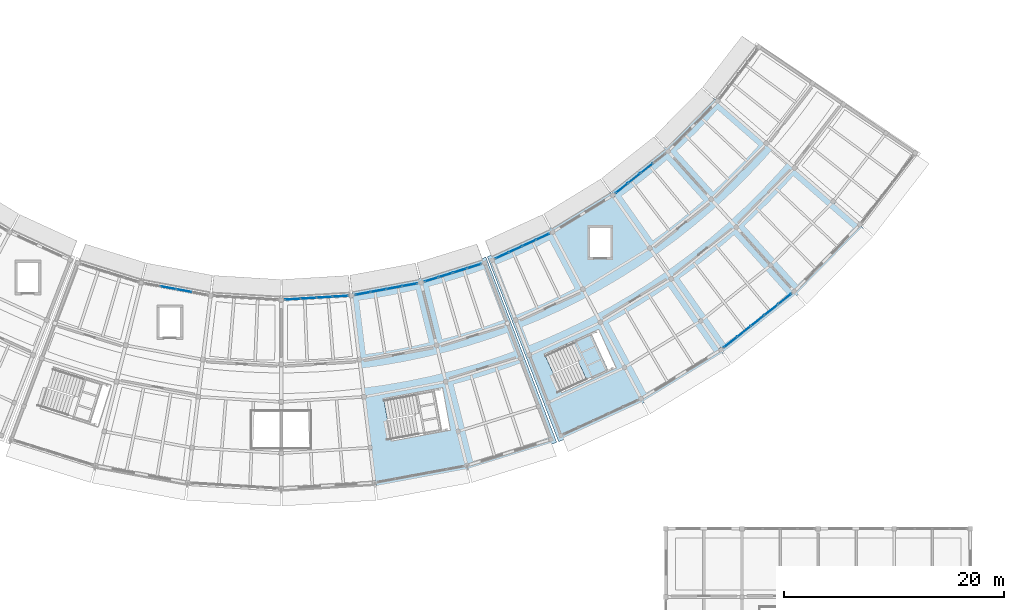
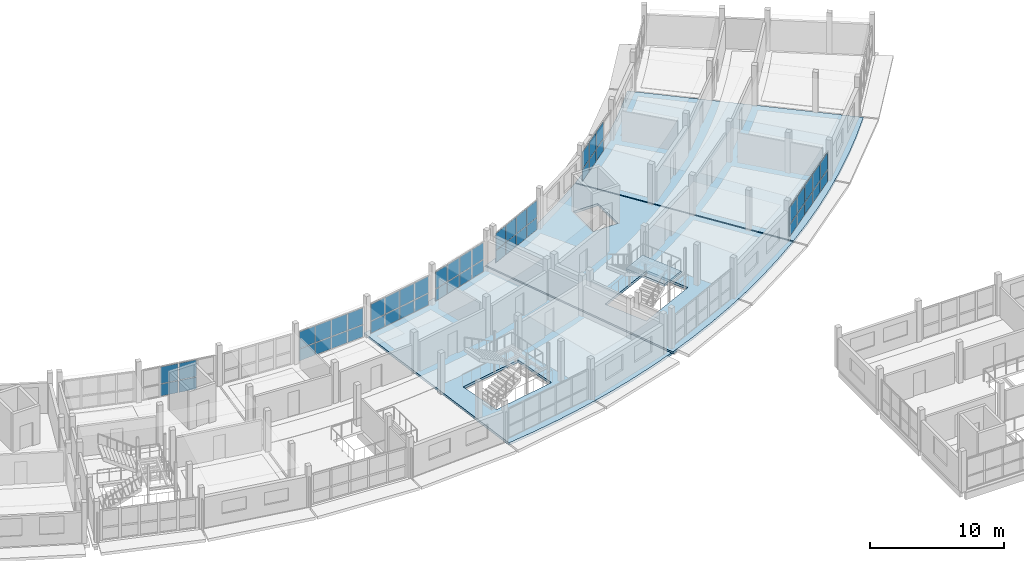
# One storey, part 48 of 77: 52 plates, 4 slabs, 8 elements without a shape of their own.
"""IFC4 building model written with IfcOpenShell, lengths in metres."""

from ifc_helpers import new_model, si_unit, direction, frame, origin, origin_2d, place, context, subcontext, project, spatial, polyline, rectangle, outline, extrude, material, layer, layer_set, type_object, element, aggregate, save


model = new_model("IFC4")

# Units and contexts
model_context = context("Model", 3, precision=1e-05, world=origin(), true_north=direction((0.0, 1.0)))
body_context = subcontext(model_context, "Body", "Model", "MODEL_VIEW")
ifc_project = project(units=[si_unit("LENGTHUNIT", "METRE"), si_unit("AREAUNIT", "SQUARE_METRE"), si_unit("VOLUMEUNIT", "CUBIC_METRE"), si_unit("PLANEANGLEUNIT", "RADIAN"), si_unit("MASSUNIT", "GRAM", prefix="KILO")], contexts=[model_context])

# Site, building, storey
site_placement = place(None, origin())
site = spatial("IfcSite", under=ifc_project, at=site_placement, CompositionType="ELEMENT")
building_placement = place(site_placement, origin())
building = spatial("IfcBuilding", under=site, at=building_placement, Name="Caldaven Crescent School", CompositionType="ELEMENT")
storey_placement = place(building_placement, frame((0.0, 0.0, 4.419921875)))
storey = spatial("IfcBuildingStorey", under=building, at=storey_placement, Name="L01", CompositionType="ELEMENT", Elevation=4.419921875)

# Curtain wall, plates
ifc_material_1 = material(Name="Anodised aluminium AA 6063-T6 and low-E double glazing", Category="aluminium")
ifc_layer_1 = layer(ifc_material_1, 0.22998046875)
ifc_layer_set_1 = layer_set([ifc_layer_1], Name="Anodised aluminium AA 6063-T6 and low-E double glazing")
curtain_wall_type_1 = type_object("IfcCurtainWallType", Name="CW-SYS4", PredefinedType="NOTDEFINED", material=ifc_layer_set_1)
curtain_wall_1_placement = place(storey_placement, origin())
curtain_wall_1 = element("IfcCurtainWall", 1, at=curtain_wall_1_placement, inside=storey, type_object=curtain_wall_type_1, Name="CW-L01-123", PredefinedType="NOTDEFINED")
ifc_material_2 = material(Name="Tempered low-E double glazing IGU", Category="glass")
ifc_layer_2 = layer(ifc_material_2, 0.031982421875)
ifc_layer_set_2 = layer_set([ifc_layer_2], Name="Tempered low-E double glazing IGU")
plate_type_1 = type_object("IfcPlateType", Name="PLT-CWP04", PredefinedType="CURTAIN_PANEL", material=ifc_layer_set_2)
plate_1_placement = place(storey_placement, frame((77.746337890625, 44.65673828125, 0.06005859375), z_axis=(0.0, 0.0, 1.0), x_axis=(0.983254744401, -0.182236405836, 0.0)))
plate_1 = element("IfcPlate", 2, at=plate_1_placement, type_object=plate_type_1, Name="CW4 panel 2.1", PredefinedType="CURTAIN_PANEL", context=body_context, shape_type="SweptSolid", body=[
    extrude(rectangle(XDim=1.385986328125, YDim=0.031982421875, at=origin_2d()), origin(), (0.0, 0.0, 1.0), 1.077880859375),
])
plate_2_placement = place(storey_placement, frame((77.746337890625, 44.65673828125, 1.197998046875), z_axis=(0.0, 0.0, 1.0), x_axis=(0.983254744401, -0.182236405836, 0.0)))
plate_2 = element("IfcPlate", 3, at=plate_2_placement, type_object=plate_type_1, Name="CW4 panel 2.2", PredefinedType="CURTAIN_PANEL", context=body_context, shape_type="SweptSolid", body=[
    extrude(rectangle(XDim=1.385986328125, YDim=0.031982421875, at=origin_2d()), origin(), (0.0, 0.0, 1.0), 1.52197265625),
])
plate_3_placement = place(storey_placement, frame((79.1728515625, 44.392333984375, 0.06005859375), z_axis=(0.0, 0.0, 1.0), x_axis=(0.983254744401, -0.182236405836, 0.0)))
plate_3 = element("IfcPlate", 4, at=plate_3_placement, type_object=plate_type_1, Name="CW4 panel 3.1", PredefinedType="CURTAIN_PANEL", context=body_context, shape_type="SweptSolid", body=[
    extrude(rectangle(XDim=1.385986328125, YDim=0.031982421875, at=origin_2d()), origin(), (0.0, 0.0, 1.0), 1.077880859375),
])
plate_4_placement = place(storey_placement, frame((79.1728515625, 44.392333984375, 1.197998046875), z_axis=(0.0, 0.0, 1.0), x_axis=(0.983254744401, -0.182236405836, 0.0)))
plate_4 = element("IfcPlate", 5, at=plate_4_placement, type_object=plate_type_1, Name="CW4 panel 3.2", PredefinedType="CURTAIN_PANEL", context=body_context, shape_type="SweptSolid", body=[
    extrude(rectangle(XDim=1.385986328125, YDim=0.031982421875, at=origin_2d()), origin(), (0.0, 0.0, 1.0), 1.52197265625),
])
aggregate(curtain_wall_1, [plate_1, plate_2, plate_3, plate_4])

ifc_layer_3 = layer(ifc_material_1, 0.18994140625)
ifc_layer_set_3 = layer_set([ifc_layer_3], Name="Anodised aluminium AA 6063-T6 and low-E double glazing")
curtain_wall_type_2 = type_object("IfcCurtainWallType", Name="CW-SYS2", PredefinedType="NOTDEFINED", material=ifc_layer_set_3)
curtain_wall_2_placement = place(storey_placement, origin())
curtain_wall_2 = element("IfcCurtainWall", 6, at=curtain_wall_2_placement, inside=storey, type_object=curtain_wall_type_2, Name="CW-L01-126", PredefinedType="NOTDEFINED")
ifc_layer_4 = layer(ifc_material_2, 0.0380859375)
ifc_layer_set_4 = layer_set([ifc_layer_4], Name="Tempered low-E double glazing IGU")
plate_type_2 = type_object("IfcPlateType", Name="PLT-CWP07", PredefinedType="CURTAIN_PANEL", material=ifc_layer_set_4)
plate_5_placement = place(storey_placement, frame((89.03857421875, 43.613525390625, 0.06494140625), z_axis=(0.0, 0.0, 1.0), x_axis=(0.998134750717, 0.061049319496, 0.0)))
plate_5 = element("IfcPlate", 7, at=plate_5_placement, type_object=plate_type_2, Name="CW2 panel 1.1", PredefinedType="CURTAIN_PANEL", context=body_context, shape_type="SweptSolid", body=[
    extrude(rectangle(XDim=1.361083984375, YDim=0.0380859375, at=origin_2d()), origin(), (0.0, 0.0, 1.0), 1.070556640625),
])
plate_6_placement = place(storey_placement, frame((89.03857421875, 43.613525390625, 1.20068359375), z_axis=(0.0, 0.0, 1.0), x_axis=(0.998134750717, 0.061049319496, 0.0)))
plate_6 = element("IfcPlate", 8, at=plate_6_placement, type_object=plate_type_2, Name="CW2 panel 1.2", PredefinedType="CURTAIN_PANEL", context=body_context, shape_type="SweptSolid", body=[
    extrude(rectangle(XDim=1.361083984375, YDim=0.0380859375, at=origin_2d()), origin(), (0.0, 0.0, 1.0), 1.514404296875),
])
plate_7_placement = place(storey_placement, frame((90.471923828125, 43.701171875, 0.06494140625), z_axis=(0.0, 0.0, 1.0), x_axis=(0.998134750717, 0.061049319496, 0.0)))
plate_7 = element("IfcPlate", 9, at=plate_7_placement, type_object=plate_type_2, Name="CW2 panel 2.1", PredefinedType="CURTAIN_PANEL", context=body_context, shape_type="SweptSolid", body=[
    extrude(rectangle(XDim=1.39111328125, YDim=0.0380859375, at=origin_2d()), origin(), (0.0, 0.0, 1.0), 1.070556640625),
])
plate_8_placement = place(storey_placement, frame((90.471923828125, 43.701171875, 1.20068359375), z_axis=(0.0, 0.0, 1.0), x_axis=(0.998134750717, 0.061049319496, 0.0)))
plate_8 = element("IfcPlate", 10, at=plate_8_placement, type_object=plate_type_2, Name="CW2 panel 2.2", PredefinedType="CURTAIN_PANEL", context=body_context, shape_type="SweptSolid", body=[
    extrude(rectangle(XDim=1.39111328125, YDim=0.0380859375, at=origin_2d()), origin(), (0.0, 0.0, 1.0), 1.514404296875),
])
plate_9_placement = place(storey_placement, frame((91.920166015625, 43.789794921875, 0.06494140625), z_axis=(0.0, 0.0, 1.0), x_axis=(0.998134750717, 0.061049319496, 0.0)))
plate_9 = element("IfcPlate", 11, at=plate_9_placement, type_object=plate_type_2, Name="CW2 panel 3.1", PredefinedType="CURTAIN_PANEL", context=body_context, shape_type="SweptSolid", body=[
    extrude(rectangle(XDim=1.39111328125, YDim=0.0380859375, at=origin_2d()), origin(), (0.0, 0.0, 1.0), 1.070556640625),
])
plate_10_placement = place(storey_placement, frame((91.920166015625, 43.789794921875, 1.20068359375), z_axis=(0.0, 0.0, 1.0), x_axis=(0.998134750717, 0.061049319496, 0.0)))
plate_10 = element("IfcPlate", 12, at=plate_10_placement, type_object=plate_type_2, Name="CW2 panel 3.2", PredefinedType="CURTAIN_PANEL", context=body_context, shape_type="SweptSolid", body=[
    extrude(rectangle(XDim=1.39111328125, YDim=0.0380859375, at=origin_2d()), origin(), (0.0, 0.0, 1.0), 1.514404296875),
])
plate_11_placement = place(storey_placement, frame((93.353515625, 43.87744140625, 0.06494140625), z_axis=(0.0, 0.0, 1.0), x_axis=(0.998134750717, 0.061049319496, 0.0)))
plate_11 = element("IfcPlate", 13, at=plate_11_placement, type_object=plate_type_2, Name="CW2 panel 4.1", PredefinedType="CURTAIN_PANEL", context=body_context, shape_type="SweptSolid", body=[
    extrude(rectangle(XDim=1.361083984375, YDim=0.0380859375, at=origin_2d()), origin(), (0.0, 0.0, 1.0), 1.070556640625),
])
plate_12_placement = place(storey_placement, frame((93.353515625, 43.87744140625, 1.20068359375), z_axis=(0.0, 0.0, 1.0), x_axis=(0.998134750717, 0.061049319496, 0.0)))
plate_12 = element("IfcPlate", 14, at=plate_12_placement, type_object=plate_type_2, Name="CW2 panel 4.2", PredefinedType="CURTAIN_PANEL", context=body_context, shape_type="SweptSolid", body=[
    extrude(rectangle(XDim=1.361083984375, YDim=0.0380859375, at=origin_2d()), origin(), (0.0, 0.0, 1.0), 1.514404296875),
])
aggregate(curtain_wall_2, [plate_5, plate_6, plate_7, plate_8, plate_9, plate_10, plate_11, plate_12])

ifc_layer_5 = layer(ifc_material_1, 0.2099609375)
ifc_layer_set_5 = layer_set([ifc_layer_5], Name="Anodised aluminium AA 6063-T6 and low-E double glazing")
curtain_wall_type_3 = type_object("IfcCurtainWallType", Name="CW-SYS3", PredefinedType="NOTDEFINED", material=ifc_layer_set_5)
curtain_wall_3_placement = place(storey_placement, origin())
curtain_wall_3 = element("IfcCurtainWall", 15, at=curtain_wall_3_placement, inside=storey, type_object=curtain_wall_type_3, Name="CW-L01-127", PredefinedType="NOTDEFINED")
ifc_layer_6 = layer(ifc_material_2, 0.0400390625)
ifc_layer_set_6 = layer_set([ifc_layer_6], Name="Tempered low-E double glazing IGU")
plate_type_3 = type_object("IfcPlateType", Name="PLT-CWP08", PredefinedType="CURTAIN_PANEL", material=ifc_layer_set_6)
plate_13_placement = place(storey_placement, frame((95.416259765625, 44.130859375, 0.070068359375), z_axis=(0.0, 0.0, 1.0), x_axis=(0.983254744401, 0.182236405836, 0.0)))
plate_13 = element("IfcPlate", 16, at=plate_13_placement, type_object=plate_type_3, Name="CW3 panel 1.1", PredefinedType="CURTAIN_PANEL", context=body_context, shape_type="SweptSolid", body=[
    extrude(rectangle(XDim=1.353515625, YDim=0.0400390625, at=origin_2d()), origin(), (0.0, 0.0, 1.0), 1.06298828125),
])
plate_14_placement = place(storey_placement, frame((95.416259765625, 44.130859375, 1.203125), z_axis=(0.0, 0.0, 1.0), x_axis=(0.983254744401, 0.182236405836, 0.0)))
plate_14 = element("IfcPlate", 17, at=plate_14_placement, type_object=plate_type_3, Name="CW3 panel 1.2", PredefinedType="CURTAIN_PANEL", context=body_context, shape_type="SweptSolid", body=[
    extrude(rectangle(XDim=1.353515625, YDim=0.0400390625, at=origin_2d()), origin(), (0.0, 0.0, 1.0), 1.507080078125),
])
plate_15_placement = place(storey_placement, frame((96.8271484375, 44.392333984375, 0.070068359375), z_axis=(0.0, 0.0, 1.0), x_axis=(0.983254744401, 0.182236405836, 0.0)))
plate_15 = element("IfcPlate", 18, at=plate_15_placement, type_object=plate_type_3, Name="CW3 panel 2.1", PredefinedType="CURTAIN_PANEL", context=body_context, shape_type="SweptSolid", body=[
    extrude(rectangle(XDim=1.385986328125, YDim=0.0400390625, at=origin_2d()), origin(), (0.0, 0.0, 1.0), 1.06298828125),
])
plate_16_placement = place(storey_placement, frame((96.8271484375, 44.392333984375, 1.203125), z_axis=(0.0, 0.0, 1.0), x_axis=(0.983254744401, 0.182236405836, 0.0)))
plate_16 = element("IfcPlate", 19, at=plate_16_placement, type_object=plate_type_3, Name="CW3 panel 2.2", PredefinedType="CURTAIN_PANEL", context=body_context, shape_type="SweptSolid", body=[
    extrude(rectangle(XDim=1.385986328125, YDim=0.0400390625, at=origin_2d()), origin(), (0.0, 0.0, 1.0), 1.507080078125),
])
plate_17_placement = place(storey_placement, frame((98.253662109375, 44.65673828125, 0.070068359375), z_axis=(0.0, 0.0, 1.0), x_axis=(0.983254744401, 0.182236405836, 0.0)))
plate_17 = element("IfcPlate", 20, at=plate_17_placement, type_object=plate_type_3, Name="CW3 panel 3.1", PredefinedType="CURTAIN_PANEL", context=body_context, shape_type="SweptSolid", body=[
    extrude(rectangle(XDim=1.385986328125, YDim=0.0400390625, at=origin_2d()), origin(), (0.0, 0.0, 1.0), 1.06298828125),
])
plate_18_placement = place(storey_placement, frame((98.253662109375, 44.65673828125, 1.203125), z_axis=(0.0, 0.0, 1.0), x_axis=(0.983254744401, 0.182236405836, 0.0)))
plate_18 = element("IfcPlate", 21, at=plate_18_placement, type_object=plate_type_3, Name="CW3 panel 3.2", PredefinedType="CURTAIN_PANEL", context=body_context, shape_type="SweptSolid", body=[
    extrude(rectangle(XDim=1.385986328125, YDim=0.0400390625, at=origin_2d()), origin(), (0.0, 0.0, 1.0), 1.507080078125),
])
plate_19_placement = place(storey_placement, frame((99.66455078125, 44.918212890625, 0.070068359375), z_axis=(0.0, 0.0, 1.0), x_axis=(0.983254744401, 0.182236405836, 0.0)))
plate_19 = element("IfcPlate", 22, at=plate_19_placement, type_object=plate_type_3, Name="CW3 panel 4.1", PredefinedType="CURTAIN_PANEL", context=body_context, shape_type="SweptSolid", body=[
    extrude(rectangle(XDim=1.353515625, YDim=0.0400390625, at=origin_2d()), origin(), (0.0, 0.0, 1.0), 1.06298828125),
])
plate_20_placement = place(storey_placement, frame((99.66455078125, 44.918212890625, 1.203125), z_axis=(0.0, 0.0, 1.0), x_axis=(0.983254744401, 0.182236405836, 0.0)))
plate_20 = element("IfcPlate", 23, at=plate_20_placement, type_object=plate_type_3, Name="CW3 panel 4.2", PredefinedType="CURTAIN_PANEL", context=body_context, shape_type="SweptSolid", body=[
    extrude(rectangle(XDim=1.353515625, YDim=0.0400390625, at=origin_2d()), origin(), (0.0, 0.0, 1.0), 1.507080078125),
])
aggregate(curtain_wall_3, [plate_13, plate_14, plate_15, plate_16, plate_17, plate_18, plate_19, plate_20])

curtain_wall_4_placement = place(storey_placement, origin())
curtain_wall_4 = element("IfcCurtainWall", 24, at=curtain_wall_4_placement, inside=storey, type_object=curtain_wall_type_1, Name="CW-L01-129", PredefinedType="NOTDEFINED")
ifc_layer_7 = layer(ifc_material_2, 0.0439453125)
ifc_layer_set_7 = layer_set([ifc_layer_7], Name="Tempered low-E double glazing IGU")
plate_type_4 = type_object("IfcPlateType", Name="PLT-CWP10", PredefinedType="CURTAIN_PANEL", material=ifc_layer_set_7)
plate_21_placement = place(storey_placement, frame((101.6416015625, 45.40478515625, 0.070068359375), z_axis=(0.0, 0.0, 1.0), x_axis=(0.954746818344, 0.297419758694, 0.0)))
plate_21 = element("IfcPlate", 25, at=plate_21_placement, type_object=plate_type_4, Name="CW4 panel 1.1", PredefinedType="CURTAIN_PANEL", context=body_context, shape_type="SweptSolid", body=[
    extrude(rectangle(XDim=1.255859375, YDim=0.0439453125, at=origin_2d()), origin(), (0.0, 0.0, 1.0), 1.06298828125),
])
plate_22_placement = place(storey_placement, frame((101.6416015625, 45.40478515625, 1.203125), z_axis=(0.0, 0.0, 1.0), x_axis=(0.954746818344, 0.297419758694, 0.0)))
plate_22 = element("IfcPlate", 26, at=plate_22_placement, type_object=plate_type_4, Name="CW4 panel 1.2", PredefinedType="CURTAIN_PANEL", context=body_context, shape_type="SweptSolid", body=[
    extrude(rectangle(XDim=1.255859375, YDim=0.0439453125, at=origin_2d()), origin(), (0.0, 0.0, 1.0), 1.507080078125),
])
plate_23_placement = place(storey_placement, frame((102.924072265625, 45.804443359375, 0.070068359375), z_axis=(0.0, 0.0, 1.0), x_axis=(0.954746818344, 0.297419758694, 0.0)))
plate_23 = element("IfcPlate", 27, at=plate_23_placement, type_object=plate_type_4, Name="CW4 panel 2.1", PredefinedType="CURTAIN_PANEL", context=body_context, shape_type="SweptSolid", body=[
    extrude(rectangle(XDim=1.290771484375, YDim=0.0439453125, at=origin_2d()), origin(), (0.0, 0.0, 1.0), 1.06298828125),
])
plate_24_placement = place(storey_placement, frame((102.924072265625, 45.804443359375, 1.203125), z_axis=(0.0, 0.0, 1.0), x_axis=(0.954746818344, 0.297419758694, 0.0)))
plate_24 = element("IfcPlate", 28, at=plate_24_placement, type_object=plate_type_4, Name="CW4 panel 2.2", PredefinedType="CURTAIN_PANEL", context=body_context, shape_type="SweptSolid", body=[
    extrude(rectangle(XDim=1.290771484375, YDim=0.0439453125, at=origin_2d()), origin(), (0.0, 0.0, 1.0), 1.507080078125),
])
plate_25_placement = place(storey_placement, frame((104.223388671875, 46.208984375, 0.070068359375), z_axis=(0.0, 0.0, 1.0), x_axis=(0.954746818344, 0.297419758694, 0.0)))
plate_25 = element("IfcPlate", 29, at=plate_25_placement, type_object=plate_type_4, Name="CW4 panel 3.1", PredefinedType="CURTAIN_PANEL", context=body_context, shape_type="SweptSolid", body=[
    extrude(rectangle(XDim=1.290771484375, YDim=0.0439453125, at=origin_2d()), origin(), (0.0, 0.0, 1.0), 1.06298828125),
])
plate_26_placement = place(storey_placement, frame((104.223388671875, 46.208984375, 1.203125), z_axis=(0.0, 0.0, 1.0), x_axis=(0.954746818344, 0.297419758694, 0.0)))
plate_26 = element("IfcPlate", 30, at=plate_26_placement, type_object=plate_type_4, Name="CW4 panel 3.2", PredefinedType="CURTAIN_PANEL", context=body_context, shape_type="SweptSolid", body=[
    extrude(rectangle(XDim=1.290771484375, YDim=0.0439453125, at=origin_2d()), origin(), (0.0, 0.0, 1.0), 1.507080078125),
])
plate_27_placement = place(storey_placement, frame((105.506103515625, 46.608642578125, 0.070068359375), z_axis=(0.0, 0.0, 1.0), x_axis=(0.954746818344, 0.297419758694, 0.0)))
plate_27 = element("IfcPlate", 31, at=plate_27_placement, type_object=plate_type_4, Name="CW4 panel 4.1", PredefinedType="CURTAIN_PANEL", context=body_context, shape_type="SweptSolid", body=[
    extrude(rectangle(XDim=1.255859375, YDim=0.0439453125, at=origin_2d()), origin(), (0.0, 0.0, 1.0), 1.06298828125),
])
plate_28_placement = place(storey_placement, frame((105.506103515625, 46.608642578125, 1.203125), z_axis=(0.0, 0.0, 1.0), x_axis=(0.954746818344, 0.297419758694, 0.0)))
plate_28 = element("IfcPlate", 32, at=plate_28_placement, type_object=plate_type_4, Name="CW4 panel 4.2", PredefinedType="CURTAIN_PANEL", context=body_context, shape_type="SweptSolid", body=[
    extrude(rectangle(XDim=1.255859375, YDim=0.0439453125, at=origin_2d()), origin(), (0.0, 0.0, 1.0), 1.507080078125),
])
aggregate(curtain_wall_4, [plate_21, plate_22, plate_23, plate_24, plate_25, plate_26, plate_27, plate_28])

ifc_layer_8 = layer(ifc_material_1, 0.169921875)
ifc_layer_set_8 = layer_set([ifc_layer_8], Name="Anodised aluminium AA 6063-T6 and low-E double glazing")
curtain_wall_type_4 = type_object("IfcCurtainWallType", Name="CW-SYS1", PredefinedType="NOTDEFINED", material=ifc_layer_set_8)
curtain_wall_5_placement = place(storey_placement, origin())
curtain_wall_5 = element("IfcCurtainWall", 33, at=curtain_wall_5_placement, inside=storey, type_object=curtain_wall_type_4, Name="CW-L01-130", PredefinedType="NOTDEFINED")
ifc_layer_9 = layer(ifc_material_2, 0.0458984375)
ifc_layer_set_9 = layer_set([ifc_layer_9], Name="Tempered low-E double glazing IGU")
plate_type_5 = type_object("IfcPlateType", Name="PLT-CWP11", PredefinedType="CURTAIN_PANEL", material=ifc_layer_set_9)
plate_29_placement = place(storey_placement, frame((108.03759765625, 47.580078125, 0.06005859375), z_axis=(0.0, 0.0, 1.0), x_axis=(0.908527944654, 0.417824094306, 0.0)))
plate_29 = element("IfcPlate", 34, at=plate_29_placement, type_object=plate_type_5, Name="CW1 panel 1.1", PredefinedType="CURTAIN_PANEL", context=body_context, shape_type="SweptSolid", body=[
    extrude(rectangle(XDim=1.270751953125, YDim=0.0458984375, at=origin_2d()), origin(), (0.0, 0.0, 1.0), 1.077880859375),
])
plate_30_placement = place(storey_placement, frame((108.03759765625, 47.580078125, 1.197998046875), z_axis=(0.0, 0.0, 1.0), x_axis=(0.908527944654, 0.417824094306, 0.0)))
plate_30 = element("IfcPlate", 35, at=plate_30_placement, type_object=plate_type_5, Name="CW1 panel 1.2", PredefinedType="CURTAIN_PANEL", context=body_context, shape_type="SweptSolid", body=[
    extrude(rectangle(XDim=1.270751953125, YDim=0.0458984375, at=origin_2d()), origin(), (0.0, 0.0, 1.0), 1.52197265625),
])
plate_31_placement = place(storey_placement, frame((109.26025390625, 48.142578125, 0.06005859375), z_axis=(0.0, 0.0, 1.0), x_axis=(0.908527944654, 0.417824094306, 0.0)))
plate_31 = element("IfcPlate", 36, at=plate_31_placement, type_object=plate_type_5, Name="CW1 panel 2.1", PredefinedType="CURTAIN_PANEL", context=body_context, shape_type="SweptSolid", body=[
    extrude(rectangle(XDim=1.30078125, YDim=0.0458984375, at=origin_2d()), origin(), (0.0, 0.0, 1.0), 1.077880859375),
])
plate_32_placement = place(storey_placement, frame((109.26025390625, 48.142578125, 1.197998046875), z_axis=(0.0, 0.0, 1.0), x_axis=(0.908527944654, 0.417824094306, 0.0)))
plate_32 = element("IfcPlate", 37, at=plate_32_placement, type_object=plate_type_5, Name="CW1 panel 2.2", PredefinedType="CURTAIN_PANEL", context=body_context, shape_type="SweptSolid", body=[
    extrude(rectangle(XDim=1.30078125, YDim=0.0458984375, at=origin_2d()), origin(), (0.0, 0.0, 1.0), 1.52197265625),
])
plate_33_placement = place(storey_placement, frame((110.49658203125, 48.711181640625, 0.06005859375), z_axis=(0.0, 0.0, 1.0), x_axis=(0.908527944654, 0.417824094306, 0.0)))
plate_33 = element("IfcPlate", 38, at=plate_33_placement, type_object=plate_type_5, Name="CW1 panel 3.1", PredefinedType="CURTAIN_PANEL", context=body_context, shape_type="SweptSolid", body=[
    extrude(rectangle(XDim=1.30078125, YDim=0.0458984375, at=origin_2d()), origin(), (0.0, 0.0, 1.0), 1.077880859375),
])
plate_34_placement = place(storey_placement, frame((110.49658203125, 48.711181640625, 1.197998046875), z_axis=(0.0, 0.0, 1.0), x_axis=(0.908527944654, 0.417824094306, 0.0)))
plate_34 = element("IfcPlate", 39, at=plate_34_placement, type_object=plate_type_5, Name="CW1 panel 3.2", PredefinedType="CURTAIN_PANEL", context=body_context, shape_type="SweptSolid", body=[
    extrude(rectangle(XDim=1.30078125, YDim=0.0458984375, at=origin_2d()), origin(), (0.0, 0.0, 1.0), 1.52197265625),
])
plate_35_placement = place(storey_placement, frame((111.719482421875, 49.2734375, 0.06005859375), z_axis=(0.0, 0.0, 1.0), x_axis=(0.908527944654, 0.417824094306, 0.0)))
plate_35 = element("IfcPlate", 40, at=plate_35_placement, type_object=plate_type_5, Name="CW1 panel 4.1", PredefinedType="CURTAIN_PANEL", context=body_context, shape_type="SweptSolid", body=[
    extrude(rectangle(XDim=1.270751953125, YDim=0.0458984375, at=origin_2d()), origin(), (0.0, 0.0, 1.0), 1.077880859375),
])
plate_36_placement = place(storey_placement, frame((111.719482421875, 49.2734375, 1.197998046875), z_axis=(0.0, 0.0, 1.0), x_axis=(0.908527944654, 0.417824094306, 0.0)))
plate_36 = element("IfcPlate", 41, at=plate_36_placement, type_object=plate_type_5, Name="CW1 panel 4.2", PredefinedType="CURTAIN_PANEL", context=body_context, shape_type="SweptSolid", body=[
    extrude(rectangle(XDim=1.270751953125, YDim=0.0458984375, at=origin_2d()), origin(), (0.0, 0.0, 1.0), 1.52197265625),
])
aggregate(curtain_wall_5, [plate_29, plate_30, plate_31, plate_32, plate_33, plate_34, plate_35, plate_36])

curtain_wall_6_placement = place(storey_placement, origin())
curtain_wall_6 = element("IfcCurtainWall", 42, at=curtain_wall_6_placement, inside=storey, type_object=curtain_wall_type_3, Name="CW-L01-132", PredefinedType="NOTDEFINED")
ifc_layer_10 = layer(ifc_material_2, 0.050048828125)
ifc_layer_set_10 = layer_set([ifc_layer_10], Name="Tempered low-E double glazing IGU")
plate_type_6 = type_object("IfcPlateType", Name="PLT-CWP13", PredefinedType="CURTAIN_PANEL", material=ifc_layer_set_10)
plate_37_placement = place(storey_placement, frame((118.900390625, 53.684814453125, 0.06494140625), z_axis=(0.0, 0.0, 1.0), x_axis=(0.782608055493, 0.622514764063, 0.0)))
plate_37 = element("IfcPlate", 43, at=plate_37_placement, type_object=plate_type_6, Name="CW3 panel 1.1", PredefinedType="CURTAIN_PANEL", context=body_context, shape_type="SweptSolid", body=[
    extrude(rectangle(XDim=1.345947265625, YDim=0.050048828125, at=origin_2d()), origin(), (0.0, 0.0, 1.0), 1.070556640625),
])
plate_38_placement = place(storey_placement, frame((118.900390625, 53.684814453125, 1.20068359375), z_axis=(0.0, 0.0, 1.0), x_axis=(0.782608055493, 0.622514764063, 0.0)))
plate_38 = element("IfcPlate", 44, at=plate_38_placement, type_object=plate_type_6, Name="CW3 panel 1.2", PredefinedType="CURTAIN_PANEL", context=body_context, shape_type="SweptSolid", body=[
    extrude(rectangle(XDim=1.345947265625, YDim=0.050048828125, at=origin_2d()), origin(), (0.0, 0.0, 1.0), 1.514404296875),
])
plate_39_placement = place(storey_placement, frame((120.022216796875, 54.5771484375, 0.06494140625), z_axis=(0.0, 0.0, 1.0), x_axis=(0.782608055493, 0.622514764063, 0.0)))
plate_39 = element("IfcPlate", 45, at=plate_39_placement, type_object=plate_type_6, Name="CW3 panel 2.1", PredefinedType="CURTAIN_PANEL", context=body_context, shape_type="SweptSolid", body=[
    extrude(rectangle(XDim=1.381103515625, YDim=0.050048828125, at=origin_2d()), origin(), (0.0, 0.0, 1.0), 1.070556640625),
])
plate_40_placement = place(storey_placement, frame((120.022216796875, 54.5771484375, 1.20068359375), z_axis=(0.0, 0.0, 1.0), x_axis=(0.782608055493, 0.622514764063, 0.0)))
plate_40 = element("IfcPlate", 46, at=plate_40_placement, type_object=plate_type_6, Name="CW3 panel 2.2", PredefinedType="CURTAIN_PANEL", context=body_context, shape_type="SweptSolid", body=[
    extrude(rectangle(XDim=1.381103515625, YDim=0.050048828125, at=origin_2d()), origin(), (0.0, 0.0, 1.0), 1.514404296875),
])
plate_41_placement = place(storey_placement, frame((121.15771484375, 55.48046875, 0.06494140625), z_axis=(0.0, 0.0, 1.0), x_axis=(0.782608055493, 0.622514764063, 0.0)))
plate_41 = element("IfcPlate", 47, at=plate_41_placement, type_object=plate_type_6, Name="CW3 panel 3.1", PredefinedType="CURTAIN_PANEL", context=body_context, shape_type="SweptSolid", body=[
    extrude(rectangle(XDim=1.381103515625, YDim=0.050048828125, at=origin_2d()), origin(), (0.0, 0.0, 1.0), 1.070556640625),
])
plate_42_placement = place(storey_placement, frame((121.15771484375, 55.48046875, 1.20068359375), z_axis=(0.0, 0.0, 1.0), x_axis=(0.782608055493, 0.622514764063, 0.0)))
plate_42 = element("IfcPlate", 48, at=plate_42_placement, type_object=plate_type_6, Name="CW3 panel 3.2", PredefinedType="CURTAIN_PANEL", context=body_context, shape_type="SweptSolid", body=[
    extrude(rectangle(XDim=1.381103515625, YDim=0.050048828125, at=origin_2d()), origin(), (0.0, 0.0, 1.0), 1.514404296875),
])
aggregate(curtain_wall_6, [plate_37, plate_38, plate_39, plate_40, plate_41, plate_42])

curtain_wall_7_placement = place(storey_placement, origin())
curtain_wall_7 = element("IfcCurtainWall", 49, at=curtain_wall_7_placement, inside=storey, type_object=curtain_wall_type_4, Name="CW-L01-133", PredefinedType="NOTDEFINED")
ifc_layer_11 = layer(ifc_material_2, 0.052001953125)
ifc_layer_set_11 = layer_set([ifc_layer_11], Name="Tempered low-E double glazing IGU")
plate_type_7 = type_object("IfcPlateType", Name="PLT-CWP14", PredefinedType="CURTAIN_PANEL", material=ifc_layer_set_11)
plate_43_placement = place(storey_placement, frame((128.75732421875, 39.716064453125, 0.070068359375), z_axis=(0.0, 0.0, 1.0), x_axis=(0.782608476107, 0.622514235279, 0.0)))
plate_43 = element("IfcPlate", 50, at=plate_43_placement, type_object=plate_type_7, Name="CW1 panel 1.1", PredefinedType="CURTAIN_PANEL", context=body_context, shape_type="SweptSolid", body=[
    extrude(rectangle(XDim=1.48095703125, YDim=0.052001953125, at=origin_2d()), origin(), (0.0, 0.0, 1.0), 1.06298828125),
])
plate_44_placement = place(storey_placement, frame((128.75732421875, 39.716064453125, 1.203125), z_axis=(0.0, 0.0, 1.0), x_axis=(0.782608476107, 0.622514235279, 0.0)))
plate_44 = element("IfcPlate", 51, at=plate_44_placement, type_object=plate_type_7, Name="CW1 panel 1.2", PredefinedType="CURTAIN_PANEL", context=body_context, shape_type="SweptSolid", body=[
    extrude(rectangle(XDim=1.48095703125, YDim=0.052001953125, at=origin_2d()), origin(), (0.0, 0.0, 1.0), 1.507080078125),
])
plate_45_placement = place(storey_placement, frame((129.97998046875, 40.6884765625, 0.070068359375), z_axis=(0.0, 0.0, 1.0), x_axis=(0.782608476107, 0.622514235279, 0.0)))
plate_45 = element("IfcPlate", 52, at=plate_45_placement, type_object=plate_type_7, Name="CW1 panel 2.1", PredefinedType="CURTAIN_PANEL", context=body_context, shape_type="SweptSolid", body=[
    extrude(rectangle(XDim=1.513427734375, YDim=0.052001953125, at=origin_2d()), origin(), (0.0, 0.0, 1.0), 1.06298828125),
])
plate_46_placement = place(storey_placement, frame((129.97998046875, 40.6884765625, 1.203125), z_axis=(0.0, 0.0, 1.0), x_axis=(0.782608476107, 0.622514235279, 0.0)))
plate_46 = element("IfcPlate", 53, at=plate_46_placement, type_object=plate_type_7, Name="CW1 panel 2.2", PredefinedType="CURTAIN_PANEL", context=body_context, shape_type="SweptSolid", body=[
    extrude(rectangle(XDim=1.513427734375, YDim=0.052001953125, at=origin_2d()), origin(), (0.0, 0.0, 1.0), 1.507080078125),
])
plate_47_placement = place(storey_placement, frame((131.215087890625, 41.671142578125, 0.070068359375), z_axis=(0.0, 0.0, 1.0), x_axis=(0.782608476107, 0.622514235279, 0.0)))
plate_47 = element("IfcPlate", 54, at=plate_47_placement, type_object=plate_type_7, Name="CW1 panel 3.1", PredefinedType="CURTAIN_PANEL", context=body_context, shape_type="SweptSolid", body=[
    extrude(rectangle(XDim=1.513427734375, YDim=0.052001953125, at=origin_2d()), origin(), (0.0, 0.0, 1.0), 1.06298828125),
])
plate_48_placement = place(storey_placement, frame((131.215087890625, 41.671142578125, 1.203125), z_axis=(0.0, 0.0, 1.0), x_axis=(0.782608476107, 0.622514235279, 0.0)))
plate_48 = element("IfcPlate", 55, at=plate_48_placement, type_object=plate_type_7, Name="CW1 panel 3.2", PredefinedType="CURTAIN_PANEL", context=body_context, shape_type="SweptSolid", body=[
    extrude(rectangle(XDim=1.513427734375, YDim=0.052001953125, at=origin_2d()), origin(), (0.0, 0.0, 1.0), 1.507080078125),
])
plate_49_placement = place(storey_placement, frame((132.450439453125, 42.653564453125, 0.070068359375), z_axis=(0.0, 0.0, 1.0), x_axis=(0.782608476107, 0.622514235279, 0.0)))
plate_49 = element("IfcPlate", 56, at=plate_49_placement, type_object=plate_type_7, Name="CW1 panel 4.1", PredefinedType="CURTAIN_PANEL", context=body_context, shape_type="SweptSolid", body=[
    extrude(rectangle(XDim=1.513427734375, YDim=0.052001953125, at=origin_2d()), origin(), (0.0, 0.0, 1.0), 1.06298828125),
])
plate_50_placement = place(storey_placement, frame((132.450439453125, 42.653564453125, 1.203125), z_axis=(0.0, 0.0, 1.0), x_axis=(0.782608476107, 0.622514235279, 0.0)))
plate_50 = element("IfcPlate", 57, at=plate_50_placement, type_object=plate_type_7, Name="CW1 panel 4.2", PredefinedType="CURTAIN_PANEL", context=body_context, shape_type="SweptSolid", body=[
    extrude(rectangle(XDim=1.513427734375, YDim=0.052001953125, at=origin_2d()), origin(), (0.0, 0.0, 1.0), 1.507080078125),
])
plate_51_placement = place(storey_placement, frame((133.6728515625, 43.626220703125, 0.070068359375), z_axis=(0.0, 0.0, 1.0), x_axis=(0.782608476107, 0.622514235279, 0.0)))
plate_51 = element("IfcPlate", 58, at=plate_51_placement, type_object=plate_type_7, Name="CW1 panel 5.1", PredefinedType="CURTAIN_PANEL", context=body_context, shape_type="SweptSolid", body=[
    extrude(rectangle(XDim=1.48095703125, YDim=0.052001953125, at=origin_2d()), origin(), (0.0, 0.0, 1.0), 1.06298828125),
])
plate_52_placement = place(storey_placement, frame((133.6728515625, 43.626220703125, 1.203125), z_axis=(0.0, 0.0, 1.0), x_axis=(0.782608476107, 0.622514235279, 0.0)))
plate_52 = element("IfcPlate", 59, at=plate_52_placement, type_object=plate_type_7, Name="CW1 panel 5.2", PredefinedType="CURTAIN_PANEL", context=body_context, shape_type="SweptSolid", body=[
    extrude(rectangle(XDim=1.48095703125, YDim=0.052001953125, at=origin_2d()), origin(), (0.0, 0.0, 1.0), 1.507080078125),
])
aggregate(curtain_wall_7, [plate_43, plate_44, plate_45, plate_46, plate_47, plate_48, plate_49, plate_50, plate_51, plate_52])

# Slabs
ifc_material_3 = material(Name="Cross-laminated timber CLT C24", Category="wood")
ifc_layer_12 = layer(ifc_material_3, 0.219970703125)
ifc_layer_set_12 = layer_set([ifc_layer_12], Name="Cross-laminated timber CLT C24")
slab_type_1 = type_object("IfcSlabType", Name="SLB-FS2", PredefinedType="FLOOR", material=ifc_layer_set_12)
slab_1_placement = place(storey_placement, frame((0.0, 0.0, -0.219970703125)))
element("IfcSlab", 60, at=slab_1_placement, inside=storey, type_object=slab_type_1, Name="SLB-V5-L01-B09", PredefinedType="FLOOR", context=body_context, shape_type="SweptSolid", body=[
    extrude(outline(polyline([(96.6162109375, 26.5322265625), (99.01123046875, 26.87158203125), (101.392822265625, 27.293212890625), (103.758544921875, 27.796875), (106.10546875, 28.382080078125), (108.4306640625, 29.0478515625), (110.731689453125, 29.793701171875), (113.00537109375, 30.61865234375), (106.575439453125, 47.430908203125), (104.886474609375, 46.818115234375), (103.177001953125, 46.26416015625), (101.44970703125, 45.76953125), (99.706298828125, 45.334716796875), (97.948974609375, 44.960693359375), (96.1796875, 44.6474609375), (94.400634765625, 44.3955078125), (96.6162109375, 26.5322265625)]), holes=[polyline([(98.000732421875, 30.7802734375), (97.29736328125, 34.57568359375), (102.60888671875, 35.560302734375), (103.312255859375, 31.764892578125), (98.000732421875, 30.7802734375)])]), origin(), (0.0, 0.0, 1.0), 0.219970703125),
])
slab_2_placement = place(storey_placement, frame((0.0, 0.0, -0.219970703125)))
element("IfcSlab", 61, at=slab_2_placement, inside=storey, type_object=slab_type_1, Name="SLB-V4E-L01-B11", PredefinedType="FLOOR", context=body_context, shape_type="SweptSolid", body=[
    extrude(outline(polyline([(113.166015625, 30.68017578125), (115.416015625, 31.59228515625), (117.633056640625, 32.581787109375), (119.814453125, 33.6474609375), (121.95751953125, 34.7880859375), (124.0595703125, 36.00244140625), (126.11865234375, 37.2890625), (128.131591796875, 38.646240234375), (117.81201171875, 53.394287109375), (116.316650390625, 52.38623046875), (114.787109375, 51.430419921875), (113.2255859375, 50.5283203125), (111.633544921875, 49.680908203125), (110.01318359375, 48.88916015625), (108.3662109375, 48.154296875), (106.69482421875, 47.476806640625), (113.166015625, 30.68017578125)]), holes=[polyline([(115.896484375, 47.263671875), (115.896484375, 50.263671875), (117.996337890625, 50.263671875), (117.996337890625, 47.263671875), (115.896484375, 47.263671875)]), polyline([(113.465087890625, 35.173583984375), (111.897705078125, 38.61328125), (116.77685546875, 40.836669921875), (118.344482421875, 37.39697265625), (113.465087890625, 35.173583984375)])]), origin(), (0.0, 0.0, 1.0), 0.219970703125),
])
slab_3_placement = place(storey_placement, frame((0.0, 0.0, -0.219970703125)))
element("IfcSlab", 62, at=slab_3_placement, inside=storey, type_object=slab_type_1, Name="SLB-V4E-L01-B13", PredefinedType="FLOOR", context=body_context, shape_type="SweptSolid", body=[
    extrude(outline(polyline([(128.220703125, 38.708740234375), (130.183349609375, 40.137939453125), (132.09521484375, 41.63427734375), (133.953857421875, 43.196044921875), (135.75732421875, 44.821533203125), (137.503173828125, 46.50830078125), (139.189697265625, 48.254638671875), (140.814697265625, 50.05859375), (127.233642578125, 61.8720703125), (126.026611328125, 60.531982421875), (124.77392578125, 59.23486328125), (123.476806640625, 57.981689453125), (122.13720703125, 56.774169921875), (120.75634765625, 55.614013671875), (119.336181640625, 54.50244140625), (117.87841796875, 53.44091796875), (128.220703125, 38.708740234375)])), origin(), (0.0, 0.0, 1.0), 0.219970703125),
])

# Stair, slab
ifc_material_4 = material(Name="Precast concrete C30/37", Category="concrete")
stair_type = type_object("IfcStairType", Name="STR-S5", PredefinedType="TWO_STRAIGHT_RUN_STAIR", material=ifc_material_4)
stair_placement = place(storey_placement, origin())
stair = element("IfcStair", 63, at=stair_placement, inside=storey, type_object=stair_type, Name="STAIR-ST4-L01", PredefinedType="TWO_STRAIGHT_RUN_STAIR")
ifc_material_5 = material(Name="Concrete C30/37", Category="concrete")
ifc_layer_13 = layer(ifc_material_5, 0.195068359375)
ifc_layer_set_13 = layer_set([ifc_layer_13], Name="Concrete C30/37")
slab_type_2 = type_object("IfcSlabType", Name="SLB-LND2", PredefinedType="LANDING", material=ifc_layer_set_13)
slab_4_placement = place(storey_placement, frame((0.0, 0.0, 1.675048828125)))
slab_4 = element("IfcSlab", 64, at=slab_4_placement, type_object=slab_type_2, Name="ST4-L01 landing 1", PredefinedType="LANDING", context=body_context, shape_type="SweptSolid", body=[
    extrude(outline(polyline([(115.697998046875, 36.31201171875), (117.661865234375, 37.206787109375), (116.185546875, 40.4462890625), (114.221923828125, 39.551513671875), (115.697998046875, 36.31201171875)])), origin(), (0.0, 0.0, 1.0), 0.195068359375),
])
aggregate(stair, [slab_4])

save(model, "model.ifc")
